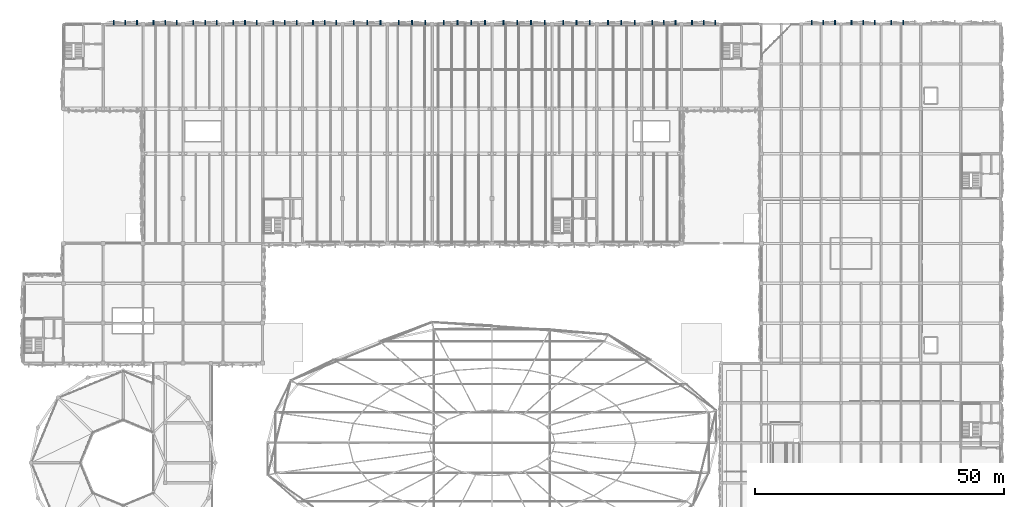
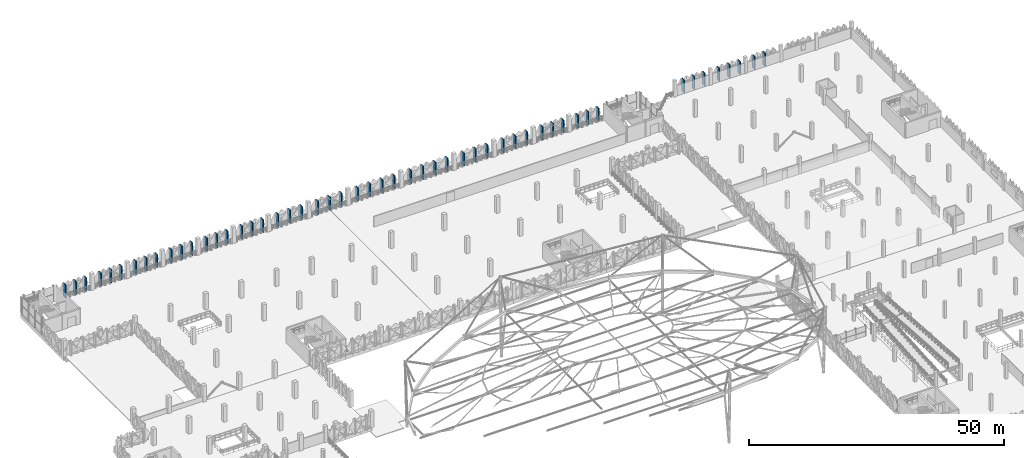
# One storey, part 60 of 96: 52 discrete accessories.
"""IFC4 building model written with IfcOpenShell, lengths in metres."""

from ifc_helpers import new_model, si_unit, derived_unit, direction, frame, origin, origin_2d, place, context, subcontext, project, spatial, rectangle, extrude, material, type_object, element, save


model = new_model("IFC4")

# Units and contexts
model_context = context("Model", 3, precision=1e-05, world=origin(), true_north=direction((0.0, 1.0)))
body_context = subcontext(model_context, "Body", "Model", "MODEL_VIEW")
ifc_project = project(units=[si_unit("LENGTHUNIT", "METRE"), si_unit("AREAUNIT", "SQUARE_METRE"), si_unit("VOLUMEUNIT", "CUBIC_METRE"), si_unit("PLANEANGLEUNIT", "RADIAN"), si_unit("MASSUNIT", "GRAM", prefix="KILO"), si_unit("THERMODYNAMICTEMPERATUREUNIT", "KELVIN"), derived_unit("THERMALTRANSMITTANCEUNIT", [(si_unit("POWERUNIT", "WATT"), 1), (si_unit("AREAUNIT", "SQUARE_METRE"), -1), (si_unit("THERMODYNAMICTEMPERATUREUNIT", "KELVIN"), -1)])], contexts=[model_context])

# Site, building, storey
site_placement = place(None, origin())
site = spatial("IfcSite", under=ifc_project, at=site_placement, CompositionType="ELEMENT")
building_placement = place(site_placement, origin())
building = spatial("IfcBuilding", under=site, at=building_placement, Name="Haiyu Intermodal Mobility Hub", CompositionType="ELEMENT")
storey_placement = place(building_placement, frame((0.0, 0.0, 9.5)))
storey = spatial("IfcBuildingStorey", under=building, at=storey_placement, Name="L02", CompositionType="ELEMENT", Elevation=9.5)

# Discrete accessories
ifc_material = material(Name="Steel Q355C", Category="steel")
discrete_accessory_type = type_object("IfcDiscreteAccessoryType", Name="ACC-BK02", PredefinedType="BRACKET", material=ifc_material)
for number, where, z_axis, x_axis, name in (
    (1, (36.787109375, 148.340087890625, 0.050048828125), (0.0, 0.0, 1.0), (1.0, 0.0, 0.0), "BRK-PYR-0010"),
    (2, (34.43994140625, 148.340087890625, 0.050048828125), (0.0, 0.0, 1.0), (1.0, 0.0, 0.0), "BRK-PYR-0013"),
    (3, (32.093017578125, 148.340087890625, 0.050048828125), (0.0, 0.0, 1.0), (1.0, 0.0, 0.0), "BRK-PYR-0014"),
    (4, (44.787109375, 148.340087890625, 0.050048828125), (0.0, 0.0, 1.0), (1.0, 0.0, 0.0), "BRK-PYR-0045"),
    (5, (42.43994140625, 148.340087890625, 0.050048828125), (0.0, 0.0, 1.0), (1.0, 0.0, 0.0), "BRK-PYR-0048"),
    (6, (40.093017578125, 148.340087890625, 0.050048828125), (0.0, 0.0, 1.0), (1.0, 0.0, 0.0), "BRK-PYR-0049"),
    (7, (52.787109375, 148.340087890625, 0.050048828125), (0.0, 0.0, 1.0), (1.0, 0.0, 0.0), "BRK-PYR-0080"),
    (8, (50.43994140625, 148.340087890625, 0.050048828125), (0.0, 0.0, 1.0), (1.0, 0.0, 0.0), "BRK-PYR-0083"),
    (9, (48.093017578125, 148.340087890625, 0.050048828125), (0.0, 0.0, 1.0), (1.0, 0.0, 0.0), "BRK-PYR-0084"),
    (10, (60.787109375, 148.340087890625, 0.050048828125), (0.0, 0.0, 1.0), (1.0, 0.0, 0.0), "BRK-PYR-0115"),
    (11, (58.43994140625, 148.340087890625, 0.050048828125), (0.0, 0.0, 1.0), (1.0, 0.0, 0.0), "BRK-PYR-0118"),
    (12, (56.093017578125, 148.340087890625, 0.050048828125), (0.0, 0.0, 1.0), (1.0, 0.0, 0.0), "BRK-PYR-0119"),
    (13, (68.787109375, 148.340087890625, 0.050048828125), (0.0, 0.0, 1.0), (1.0, 0.0, 0.0), "BRK-PYR-0150"),
    (14, (66.43994140625, 148.340087890625, 0.050048828125), (0.0, 0.0, 1.0), (1.0, 0.0, 0.0), "BRK-PYR-0153"),
    (15, (64.093017578125, 148.340087890625, 0.050048828125), (0.0, 0.0, 1.0), (1.0, 0.0, 0.0), "BRK-PYR-0154"),
    (16, (76.787109375, 148.340087890625, 0.050048828125), (0.0, 0.0, 1.0), (1.0, 0.0, 0.0), "BRK-PYR-0185"),
    (17, (74.43994140625, 148.340087890625, 0.050048828125), (0.0, 0.0, 1.0), (1.0, 0.0, 0.0), "BRK-PYR-0188"),
    (18, (72.093017578125, 148.340087890625, 0.050048828125), (0.0, 0.0, 1.0), (1.0, 0.0, 0.0), "BRK-PYR-0189"),
    (19, (85.6201171875, 148.340087890625, 0.050048828125), (0.0, 0.0, 1.0), (1.0, 0.0, 0.0), "BRK-PYR-0220"),
    (20, (82.93994140625, 148.340087890625, 0.050048828125), (0.0, 0.0, 1.0), (1.0, 0.0, 0.0), "BRK-PYR-0223"),
    (21, (80.260009765625, 148.340087890625, 0.050048828125), (0.0, 0.0, 1.0), (1.0, 0.0, 0.0), "BRK-PYR-0224"),
    (22, (94.6201171875, 148.340087890625, 0.050048828125), (0.0, 0.0, 1.0), (1.0, 0.0, 0.0), "BRK-PYR-0255"),
    (23, (91.93994140625, 148.340087890625, 0.050048828125), (0.0, 0.0, 1.0), (1.0, 0.0, 0.0), "BRK-PYR-0258"),
    (24, (89.260009765625, 148.340087890625, 0.050048828125), (0.0, 0.0, 1.0), (1.0, 0.0, 0.0), "BRK-PYR-0259"),
    (25, (106.580078125, 148.340087890625, 0.050048828125), (0.0, 0.0, 1.0), (1.0, 0.0, 0.0), "BRK-PYR-0293"),
    (26, (103.820068359375, 148.340087890625, 0.050048828125), (0.0, 0.0, 1.0), (1.0, 0.0, 0.0), "BRK-PYR-0296"),
    (27, (101.06005859375, 148.340087890625, 0.050048828125), (0.0, 0.0, 1.0), (1.0, 0.0, 0.0), "BRK-PYR-0299"),
    (28, (98.300048828125, 148.340087890625, 0.050048828125), (0.0, 0.0, 1.0), (1.0, 0.0, 0.0), "BRK-PYR-0300"),
    (29, (118.580078125, 148.340087890625, 0.050048828125), (0.0, 0.0, 1.0), (1.0, 0.0, 0.0), "BRK-PYR-0343"),
    (30, (115.820068359375, 148.340087890625, 0.050048828125), (0.0, 0.0, 1.0), (1.0, 0.0, 0.0), "BRK-PYR-0346"),
    (31, (113.06005859375, 148.340087890625, 0.050048828125), (0.0, 0.0, 1.0), (1.0, 0.0, 0.0), "BRK-PYR-0349"),
    (32, (110.300048828125, 148.340087890625, 0.050048828125), (0.0, 0.0, 1.0), (1.0, 0.0, 0.0), "BRK-PYR-0350"),
    (33, (127.6201171875, 148.340087890625, 0.050048828125), (0.0, 0.0, 1.0), (1.0, 0.0, 0.0), "BRK-PYR-0390"),
    (34, (124.93994140625, 148.340087890625, 0.050048828125), (0.0, 0.0, 1.0), (1.0, 0.0, 0.0), "BRK-PYR-0393"),
    (35, (122.260009765625, 148.340087890625, 0.050048828125), (0.0, 0.0, 1.0), (1.0, 0.0, 0.0), "BRK-PYR-0394"),
    (36, (136.6201171875, 148.340087890625, 0.050048828125), (0.0, 0.0, 1.0), (1.0, 0.0, 0.0), "BRK-PYR-0425"),
    (37, (133.93994140625, 148.340087890625, 0.050048828125), (0.0, 0.0, 1.0), (1.0, 0.0, 0.0), "BRK-PYR-0428"),
    (38, (131.260009765625, 148.340087890625, 0.050048828125), (0.0, 0.0, 1.0), (1.0, 0.0, 0.0), "BRK-PYR-0429"),
    (39, (144.787109375, 148.340087890625, 0.050048828125), (0.0, 0.0, 1.0), (1.0, 0.0, 0.0), "BRK-PYR-0460"),
    (40, (142.43994140625, 148.340087890625, 0.050048828125), (0.0, 0.0, 1.0), (1.0, 0.0, 0.0), "BRK-PYR-0463"),
    (41, (140.093017578125, 148.340087890625, 0.050048828125), (0.0, 0.0, 1.0), (1.0, 0.0, 0.0), "BRK-PYR-0464"),
    (42, (152.787109375, 148.340087890625, 0.050048828125), (0.0, 0.0, 1.0), (1.0, 0.0, 0.0), "BRK-PYR-0495"),
    (43, (150.43994140625, 148.340087890625, 0.050048828125), (0.0, 0.0, 1.0), (1.0, 0.0, 0.0), "BRK-PYR-0498"),
    (44, (148.093017578125, 148.340087890625, 0.050048828125), (0.0, 0.0, 1.0), (1.0, 0.0, 0.0), "BRK-PYR-0499"),
    (45, (176.787109375, 148.340087890625, 0.050048828125), (0.0, 0.0, 1.0), (1.0, 0.0, 0.0), "BRK-PYR-1157"),
    (46, (174.43994140625, 148.340087890625, 0.050048828125), (0.0, 0.0, 1.0), (1.0, 0.0, 0.0), "BRK-PYR-1160"),
    (47, (172.093017578125, 148.340087890625, 0.050048828125), (0.0, 0.0, 1.0), (1.0, 0.0, 0.0), "BRK-PYR-1161"),
    (48, (184.787109375, 148.340087890625, 0.050048828125), (0.0, 0.0, 1.0), (1.0, 0.0, 0.0), "BRK-PYR-1164"),
    (49, (182.43994140625, 148.340087890625, 0.050048828125), (0.0, 0.0, 1.0), (1.0, 0.0, 0.0), "BRK-PYR-1167"),
    (50, (180.093017578125, 148.340087890625, 0.050048828125), (0.0, 0.0, 1.0), (1.0, 0.0, 0.0), "BRK-PYR-1168"),
    (51, (190.43994140625, 148.340087890625, 0.050048828125), (0.0, 0.0, 1.0), (1.0, 0.0, 0.0), "BRK-PYR-1174"),
    (52, (188.093017578125, 148.340087890625, 0.050048828125), (0.0, 0.0, 1.0), (1.0, 0.0, 0.0), "BRK-PYR-1175"),
):
    element("IfcDiscreteAccessory", number, at=place(storey_placement, frame(where, z_axis=z_axis, x_axis=x_axis)), inside=storey, type_object=discrete_accessory_type, Name=name, PredefinedType="BRACKET", context=body_context, shape_type="SweptSolid", body=[
        extrude(rectangle(XDim=0.219970703125, YDim=0.949951171875, at=origin_2d()), origin(), (0.0, 0.0, 1.0), 3.10009765625),
    ])

save(model, "model.ifc")
